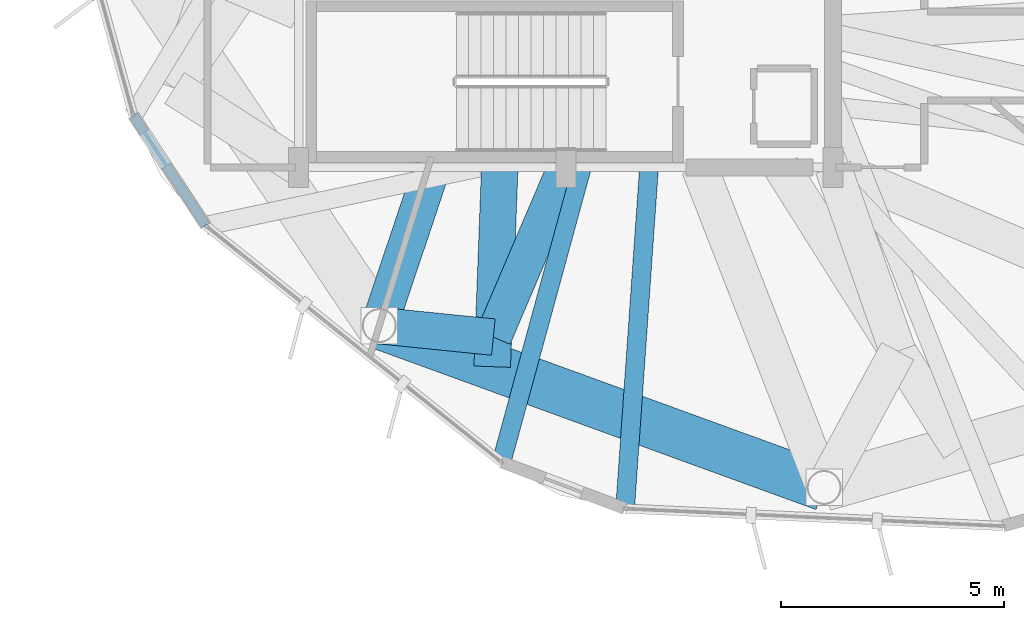
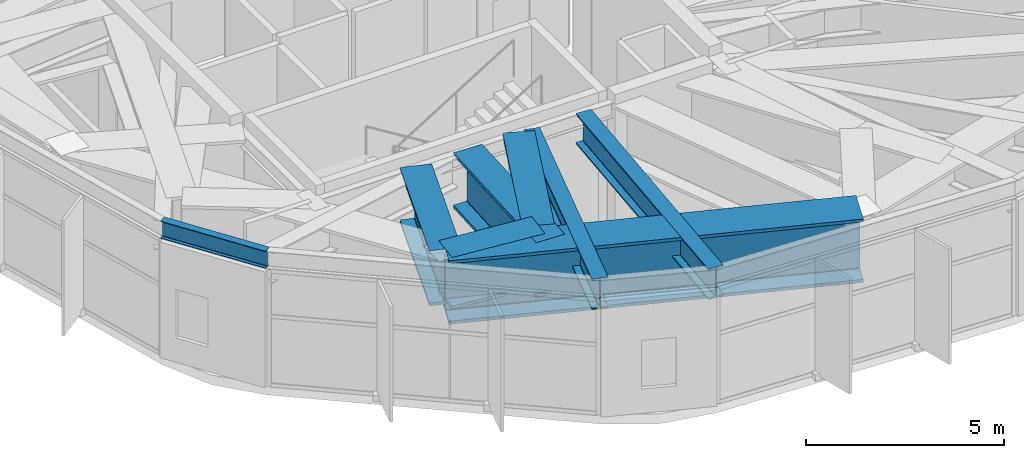
# One storey, part 3 of 27: 8 beams.
"""IFC4 building model written with IfcOpenShell, lengths in metres."""

from ifc_helpers import new_model, si_unit, direction, frame, origin, origin_2d, place, context, subcontext, project, spatial, i_section, extrude, material, material_profile, profile_set, type_object, element, save


model = new_model("IFC4")

# Units and contexts
model_context = context("Model", 3, precision=1e-05, world=origin(), true_north=direction((0.0, 1.0)))
body_context = subcontext(model_context, "Body", "Model", "MODEL_VIEW")
ifc_project = project(units=[si_unit("LENGTHUNIT", "METRE"), si_unit("AREAUNIT", "SQUARE_METRE"), si_unit("VOLUMEUNIT", "CUBIC_METRE"), si_unit("PLANEANGLEUNIT", "RADIAN"), si_unit("MASSUNIT", "GRAM", prefix="KILO")], contexts=[model_context])

# Site, building, storey
site_placement = place(None, origin())
site = spatial("IfcSite", under=ifc_project, at=site_placement, CompositionType="ELEMENT")
building_placement = place(site_placement, origin())
building = spatial("IfcBuilding", under=site, at=building_placement, Name="Soratama Intermodal Tower", CompositionType="ELEMENT")
storey_placement = place(building_placement, frame((0.0, 0.0, 288.550048828125)))
storey = spatial("IfcBuildingStorey", under=building, at=storey_placement, Name="L73", CompositionType="ELEMENT", Elevation=288.550048828125)

# Beams
ifc_material_1 = material(Name="Structural steel ASTM A992 Grade 50", Category="steel")
ifc_material_profile_1 = material_profile(ifc_material_1, i_section(OverallWidth=0.423095703125, OverallDepth=0.93896484375, WebThickness=0.02392578125, FlangeThickness=0.042724609375, FilletRadius=0.02392578125, at=origin_2d()), Name="W36X302")
ifc_profile_set_1 = profile_set([ifc_material_profile_1], Name="Structural steel ASTM A992 Grade 50")
beam_type_1 = type_object("IfcBeamType", Name="BM-POD-W36X302", PredefinedType="BEAM", material=ifc_profile_set_1)
beam_1_placement = place(storey_placement, frame((38.950927734375, 14.9609375, 3.725341796875), z_axis=(-0.263308215672, -0.964711761906, 0.0), x_axis=(0.964711761906, -0.263308215672, 0.0)))
element("IfcBeam", 1, at=beam_1_placement, inside=storey, type_object=beam_type_1, Name="BM-L73-TIE1-05", PredefinedType="BEAM", context=body_context, shape_type="SweptSolid", body=[
    extrude(i_section(OverallWidth=0.423095703125, OverallDepth=0.93896484375, WebThickness=0.02392578125, FlangeThickness=0.042724609375, FilletRadius=0.02392578125, at=origin_2d()), origin(), (0.0, 0.0, 1.0), 6.820556640625),
])
beam_2_placement = place(storey_placement, frame((40.466064453125, 14.9599609375, 3.725341796875), z_axis=(-0.070012203121, -0.99754613498, 0.0), x_axis=(0.99754613498, -0.070012203121, 0.0)))
element("IfcBeam", 2, at=beam_2_placement, inside=storey, type_object=beam_type_1, Name="BM-L73-TIE0-06", PredefinedType="BEAM", context=body_context, shape_type="SweptSolid", body=[
    extrude(i_section(OverallWidth=0.423095703125, OverallDepth=0.93896484375, WebThickness=0.02392578125, FlangeThickness=0.042724609375, FilletRadius=0.02392578125, at=origin_2d()), origin(), (0.0, 0.0, 1.0), 7.643798828125),
])
ifc_material_2 = material(Name="Structural steel ASTM A992 Grade 50", Category="steel")
ifc_material_profile_2 = material_profile(ifc_material_2, i_section(OverallWidth=0.2099609375, OverallDepth=0.537109375, WebThickness=0.010986328125, FlangeThickness=0.017333984375, FilletRadius=0.012939453125, at=origin_2d()), Name="W21X68")
ifc_profile_set_2 = profile_set([ifc_material_profile_2], Name="Structural steel ASTM A992 Grade 50")
beam_type_2 = type_object("IfcBeamType", Name="BM-SPN-W21X68", PredefinedType="SPANDREL", material=ifc_profile_set_2)
beam_3_placement = place(storey_placement, frame((28.884033203125, 16.166015625, 3.926513671875), z_axis=(0.550039560818, -0.835138600195, 0.0), x_axis=(0.835138600195, 0.550039560818, 0.0)))
element("IfcBeam", 3, at=beam_3_placement, inside=storey, type_object=beam_type_2, Name="BS-L73-CRN04", PredefinedType="SPANDREL", context=body_context, shape_type="SweptSolid", body=[
    extrude(i_section(OverallWidth=0.2099609375, OverallDepth=0.537109375, WebThickness=0.010986328125, FlangeThickness=0.017333984375, FilletRadius=0.012939453125, at=origin_2d()), origin(), (0.0, 0.0, 1.0), 2.96728515625),
])
ifc_material_3 = material(Name="Structural steel ASTM A992 Grade 50", Category="steel")
ifc_material_profile_3 = material_profile(ifc_material_3, i_section(OverallWidth=0.820068359375, OverallDepth=1.699951171875, WebThickness=0.053955078125, FlangeThickness=0.087890625, FilletRadius=0.02392578125, at=origin_2d()), Name="PG1580X800")
ifc_profile_set_3 = profile_set([ifc_material_profile_3], Name="Structural steel ASTM A992 Grade 50")
beam_type_3 = type_object("IfcBeamType", Name="BM-ZSTEP-PG1580", PredefinedType="BEAM", material=ifc_profile_set_3)
beam_4_placement = place(storey_placement, frame((36.947021484375, 10.52294921875, 3.344970703125), z_axis=(0.0377090099, 0.999288762357, 0.0), x_axis=(-0.999288762357, 0.0377090099, 0.0)))
element("IfcBeam", 4, at=beam_4_placement, inside=storey, type_object=beam_type_3, Name="BM-L73-ZCHORD-07", PredefinedType="BEAM", context=body_context, shape_type="SweptSolid", body=[
    extrude(i_section(OverallWidth=0.820068359375, OverallDepth=1.699951171875, WebThickness=0.053955078125, FlangeThickness=0.087890625, FilletRadius=0.02392578125, at=origin_2d()), origin(), (0.0, 0.0, 1.0), 4.480224609375),
])
beam_5_placement = place(storey_placement, frame((35.60009765625, 15.0, 3.344970703125), z_axis=(-0.317321993996, -0.948317853953, 0.0), x_axis=(0.948317853953, -0.317321993996, 0.0)))
element("IfcBeam", 5, at=beam_5_placement, inside=storey, type_object=beam_type_3, Name="BM-L73-RAD-07", PredefinedType="BEAM", context=body_context, shape_type="SweptSolid", body=[
    extrude(i_section(OverallWidth=0.820068359375, OverallDepth=1.699951171875, WebThickness=0.053955078125, FlangeThickness=0.087890625, FilletRadius=0.02392578125, at=origin_2d()), origin(), (0.0, 0.0, 1.0), 3.74755859375),
])
ifc_material_4 = material(Name="Structural steel ASTM A992 Grade 50", Category="steel")
ifc_material_profile_4 = material_profile(ifc_material_4, i_section(OverallWidth=0.820068359375, OverallDepth=1.60205078125, WebThickness=0.055908203125, FlangeThickness=0.092041015625, FilletRadius=0.02392578125, at=origin_2d()), Name="PG1600X650")
ifc_profile_set_4 = profile_set([ifc_material_profile_4], Name="Structural steel ASTM A992 Grade 50")
beam_type_4 = type_object("IfcBeamType", Name="BM-ZSTEP-PG1600", PredefinedType="BEAM", material=ifc_profile_set_4)
beam_6_placement = place(storey_placement, frame((34.410888671875, 11.446044921875, 3.39404296875), z_axis=(0.994923865016, -0.10063052629, 0.0), x_axis=(0.10063052629, 0.994923865016, 0.0)))
element("IfcBeam", 6, at=beam_6_placement, inside=storey, type_object=beam_type_4, Name="BM-L73-ZSTEP-A07", PredefinedType="BEAM", context=body_context, shape_type="SweptSolid", body=[
    extrude(i_section(OverallWidth=0.820068359375, OverallDepth=1.60205078125, WebThickness=0.055908203125, FlangeThickness=0.092041015625, FilletRadius=0.02392578125, at=origin_2d()), origin(), (0.0, 0.0, 1.0), 2.57421875),
])
beam_7_placement = place(storey_placement, frame((36.971923828125, 11.18701171875, 3.39404296875), z_axis=(0.392703690858, 0.919665053803, 0.0), x_axis=(-0.919665053803, 0.392703690858, 0.0)))
element("IfcBeam", 7, at=beam_7_placement, inside=storey, type_object=beam_type_4, Name="BM-L73-ZSTEP-B07", PredefinedType="BEAM", context=body_context, shape_type="SweptSolid", body=[
    extrude(i_section(OverallWidth=0.820068359375, OverallDepth=1.60205078125, WebThickness=0.055908203125, FlangeThickness=0.092041015625, FilletRadius=0.02392578125, at=origin_2d()), origin(), (0.0, 0.0, 1.0), 4.14599609375),
])
ifc_material_5 = material(Name="Structural steel ASTM A992 Grade 50", Category="steel")
ifc_material_profile_5 = material_profile(ifc_material_5, i_section(OverallWidth=1.06005859375, OverallDepth=1.9599609375, WebThickness=0.05810546875, FlangeThickness=0.095947265625, FilletRadius=0.02392578125, at=origin_2d()), Name="PG2400X900")
ifc_profile_set_5 = profile_set([ifc_material_profile_5], Name="Structural steel ASTM A992 Grade 50")
beam_type_5 = type_object("IfcBeamType", Name="BM-ZSTEP-PG2400", PredefinedType="BEAM", material=ifc_profile_set_5)
beam_8_placement = place(storey_placement, frame((34.410888671875, 11.446044921875, 3.21484375), z_axis=(0.939713598519, -0.341962501976, 0.0), x_axis=(0.341962501976, 0.939713598519, 0.0)))
element("IfcBeam", 8, at=beam_8_placement, inside=storey, type_object=beam_type_5, Name="BM-L73-RING-07", PredefinedType="BEAM", context=body_context, shape_type="SweptSolid", body=[
    extrude(i_section(OverallWidth=1.06005859375, OverallDepth=1.9599609375, WebThickness=0.05810546875, FlangeThickness=0.095947265625, FilletRadius=0.02392578125, at=origin_2d()), origin(), (0.0, 0.0, 1.0), 10.6298828125),
])

save(model, "model.ifc")
